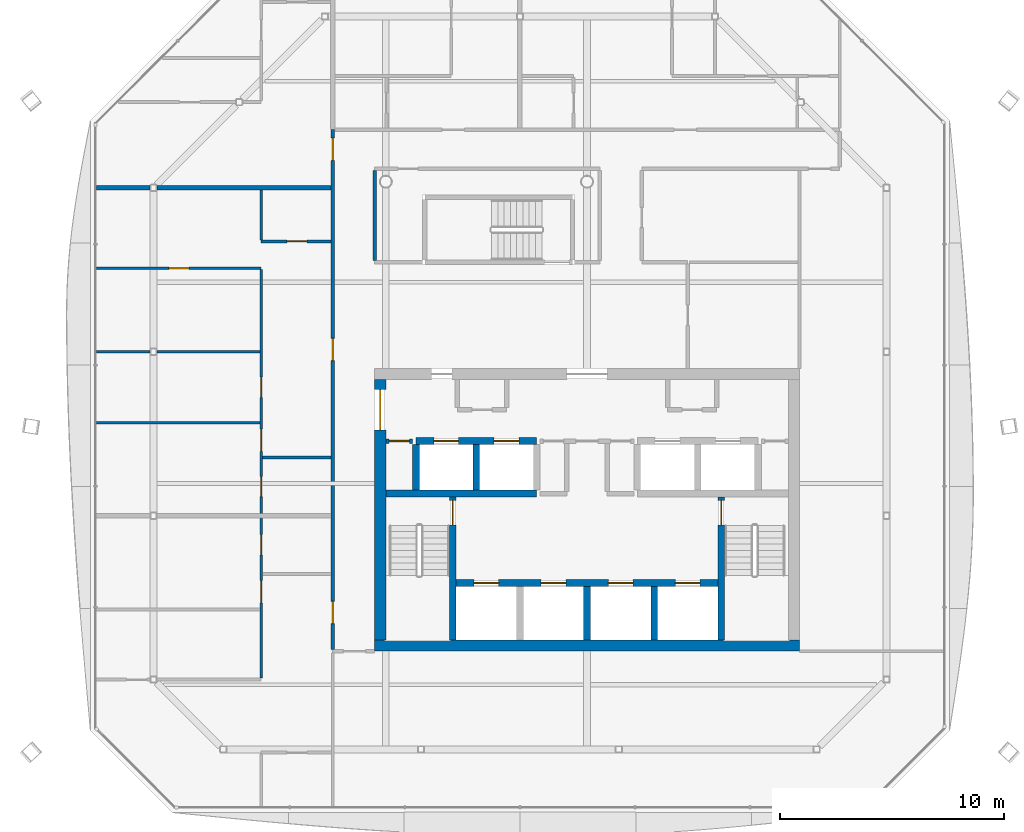
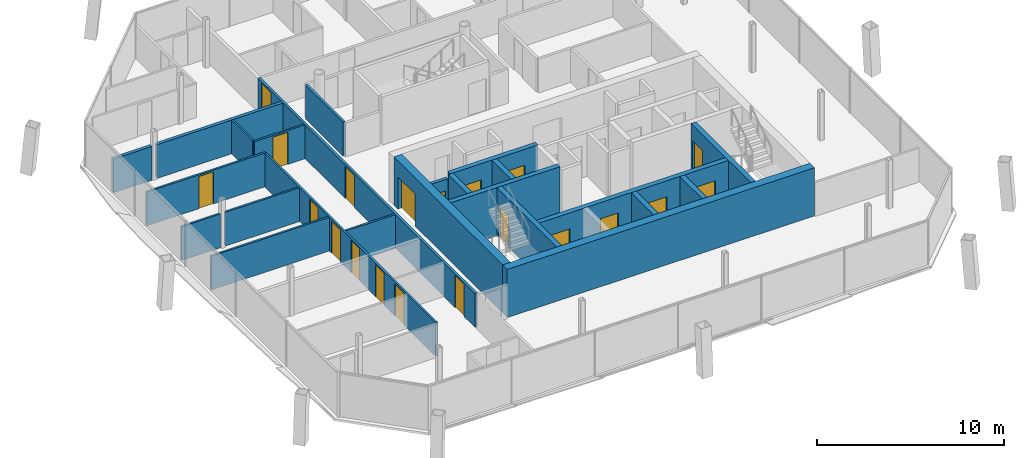
# One storey, part 12 of 18: 24 walls, 20 doors, 20 openings.
"""IFC4 building model written with IfcOpenShell, lengths in metres."""

import ifcopenshell
import ifcopenshell.guid

model = None  # the IFC model being written
_history = None  # IfcOwnerHistory: only IFC2X3 demands one
_inside = {}  # id of a spatial element -> (the spatial element, [elements in it])
_under = {}  # id of a project, library or spatial element -> (it, [spatial elements below it])
_declared = {}  # id of a project -> (the project, [libraries it declares])
_typed = {}  # id of a type object -> (the type object, [elements of that type])
_made_of = {}  # id of a material, layer set ... -> (it, [elements and type objects made of it])


def new_model(schema):
    """Start an empty IFC model of exactly this schema.

    Asked for "IFC4X3", IfcOpenShell would pick the latest addendum, in which some entities
    have other attributes; the version numbers below select the first issue.
    IFC2X3 requires an IfcOwnerHistory on every rooted entity: one is made here for all.
    """
    global model, _history
    if schema == "IFC4X3":
        model = ifcopenshell.file(schema_version=(4, 3, 0, 0))
    else:
        model = ifcopenshell.file(schema=schema)
    _inside.clear()
    _under.clear()
    _declared.clear()
    _typed.clear()
    _made_of.clear()
    _history = None
    if model.schema == "IFC2X3":
        org = make("IfcOrganization", Name="unknown")
        user = make(
            "IfcPersonAndOrganization",
            ThePerson=make("IfcPerson", FamilyName="unknown"),
            TheOrganization=org,
        )
        app = make(
            "IfcApplication",
            ApplicationDeveloper=org,
            Version="unknown",
            ApplicationFullName="unknown",
            ApplicationIdentifier="unknown",
        )
        _history = make(
            "IfcOwnerHistory",
            OwningUser=user,
            OwningApplication=app,
            ChangeAction="ADDED",
            CreationDate=0,
        )
    return model


def make(cls, **values):
    """One entity of the class cls with the attributes given. An attribute that is None is left unset."""
    return model.create_entity(
        cls, **{name: value for name, value in values.items() if value is not None}
    )


def rooted(cls, **values):
    """An entity with a GlobalId (a new one), such as an element, a storey or a relation."""
    return make(cls, GlobalId=ifcopenshell.guid.new(), OwnerHistory=_history, **values)


def si_unit(unit_type, name, prefix=None):
    """IfcSIUnit, for example si_unit("LENGTHUNIT", "METRE", prefix="MILLI")."""
    return make("IfcSIUnit", UnitType=unit_type, Prefix=prefix, Name=name)


def assignment(units):
    """IfcUnitAssignment: the units of a project."""
    return None if units is None else make("IfcUnitAssignment", Units=units)


def point(xyz):
    """IfcCartesianPoint."""
    return None if xyz is None else make("IfcCartesianPoint", Coordinates=xyz)


def direction(xyz):
    """IfcDirection."""
    return None if xyz is None else make("IfcDirection", DirectionRatios=xyz)


def frame(location, z_axis=None, x_axis=None):
    """IfcAxis2Placement3D, a coordinate frame: its origin and axes. An axis left out is left unset."""
    return make(
        "IfcAxis2Placement3D",
        Location=point(location),
        Axis=direction(z_axis),
        RefDirection=direction(x_axis),
    )


def frame_2d(location, x_axis=None):
    """IfcAxis2Placement2D, a coordinate frame in the plane: its origin and x axis."""
    return make(
        "IfcAxis2Placement2D", Location=point(location), RefDirection=direction(x_axis)
    )


def origin():
    """The frame at (0, 0, 0) with its axes left unset."""
    return frame((0.0, 0.0, 0.0))


def place(relative_to, where):
    """IfcLocalPlacement: puts the frame where relative to a parent placement (None: the world)."""
    return make(
        "IfcLocalPlacement", PlacementRelTo=relative_to, RelativePlacement=where
    )


def context(
    kind, dimensions, precision=None, world=None, true_north=None, identifier=None
):
    """IfcGeometricRepresentationContext, for example the 3D "Model" context."""
    return make(
        "IfcGeometricRepresentationContext",
        ContextIdentifier=identifier,
        ContextType=kind,
        CoordinateSpaceDimension=dimensions,
        Precision=precision,
        WorldCoordinateSystem=world,
        TrueNorth=true_north,
    )


def subcontext(parent, identifier, kind, view, scale=None):
    """IfcGeometricRepresentationSubContext, for example "Body" below "Model"."""
    return make(
        "IfcGeometricRepresentationSubContext",
        ContextIdentifier=identifier,
        ContextType=kind,
        ParentContext=parent,
        TargetScale=scale,
        TargetView=view,
    )


def project(units=None, contexts=None):
    """IfcProject with its units and contexts."""
    return rooted(
        "IfcProject",
        Name="project",
        RepresentationContexts=contexts,
        UnitsInContext=assignment(units),
    )


def spatial(cls, under=None, at=None, **own):
    """A site, building, storey or space (cls), placed at a placement, below another one or the project."""
    s = rooted(cls, ObjectPlacement=at, **own)
    if under is not None:
        _under.setdefault(under.id(), (under, []))[1].append(s)
    return s


def profile(cls, at=None, kind="AREA", **sizes):
    """A parametric profile (cls). Its sizes go by their IFC names, for example OverallWidth=200.0."""
    return make(cls, ProfileType=kind, Position=at, **sizes)


def rectangle(**sizes):
    """IfcRectangleProfileDef."""
    return profile("IfcRectangleProfileDef", **sizes)


def extrude(swept, where, along, depth):
    """IfcExtrudedAreaSolid: the profile swept, set in the frame where, extruded along a direction by depth."""
    return make(
        "IfcExtrudedAreaSolid",
        SweptArea=swept,
        Position=where,
        ExtrudedDirection=direction(along),
        Depth=depth,
    )


def shape(context_of_items, identifier, shape_type, items):
    """IfcShapeRepresentation: the items that make up one representation, for example the "Body"."""
    return make(
        "IfcShapeRepresentation",
        ContextOfItems=context_of_items,
        RepresentationIdentifier=identifier,
        RepresentationType=shape_type,
        Items=items,
    )


def material(Name=None, Category=None):
    """IfcMaterial."""
    return make("IfcMaterial", Name=Name, Category=Category)


def layer(
    of_material, thickness, ventilated=None, Name=None, Category=None, Priority=None
):
    """IfcMaterialLayer: one layer of a wall or slab, of a material (None: an air gap)."""
    return make(
        "IfcMaterialLayer",
        Material=of_material,
        LayerThickness=thickness,
        IsVentilated=ventilated,
        Name=Name,
        Category=Category,
        Priority=Priority,
    )


def layer_set(layers, Name=None):
    """IfcMaterialLayerSet."""
    return make("IfcMaterialLayerSet", MaterialLayers=layers, LayerSetName=Name)


def made_of(thing, what):
    """Note that an element or type object is made of a material, layer set ...; save() writes the relation."""
    if what is not None:
        _made_of.setdefault(what.id(), (what, []))[1].append(thing)
    return thing


def type_object(cls, material=None, **own):
    """A type object (cls), such as IfcWallType, which elements share."""
    return made_of(rooted(cls, **own), material)


def element(
    cls,
    number,
    at=None,
    inside=None,
    cuts=None,
    type_object=None,
    material=None,
    context=None,
    identifier="Body",
    shape_type=None,
    held_by="IfcProductDefinitionShape",
    body=None,
    shapes=None,
    **own,
):
    """One element of the class cls, such as IfcWall. Its Tag is "e" and its number.

    at: its placement. inside: the storey or other place that contains it. cuts: it is an
    opening in that element (IfcRelVoidsElement). A single representation is given by context,
    identifier, shape_type and body (its items); several are given by shapes. held_by: the class
    of the entity that holds the representations. save() writes the other relations.
    """
    e = rooted(cls, Tag="e%d" % number, ObjectPlacement=at, **own)
    if body is not None:
        shapes = [shape(context, identifier, shape_type, body)]
    if shapes is not None:
        e.Representation = make(held_by, Representations=shapes)
    if inside is not None:
        _inside.setdefault(inside.id(), (inside, []))[1].append(e)
    if cuts is not None:
        rooted(
            "IfcRelVoidsElement", RelatingBuildingElement=cuts, RelatedOpeningElement=e
        )
    if type_object is not None:
        _typed.setdefault(type_object.id(), (type_object, []))[1].append(e)
    return made_of(e, material)


def fill(opening, filler):
    """IfcRelFillsElement: the door or window that sits in an opening."""
    return rooted(
        "IfcRelFillsElement",
        RelatingOpeningElement=opening,
        RelatedBuildingElement=filler,
    )


def aggregate(whole, parts):
    """IfcRelAggregates: a whole, such as a stair, and the parts it consists of."""
    return rooted("IfcRelAggregates", RelatingObject=whole, RelatedObjects=parts)


def save(model, path):
    """Write the relations noted so far, then the file.

    IfcRelAggregates (storeys below a building ...), IfcRelContainedInSpatialStructure (elements
    in a storey), IfcRelDefinesByType, IfcRelAssociatesMaterial and IfcRelDeclares: one each for
    every whole, place, type object, material and project.
    """
    for whole, parts in _under.values():
        aggregate(whole, parts)
    for where, things in _inside.values():
        rooted(
            "IfcRelContainedInSpatialStructure",
            RelatedElements=things,
            RelatingStructure=where,
        )
    for kind, things in _typed.values():
        rooted("IfcRelDefinesByType", RelatedObjects=things, RelatingType=kind)
    for what, things in _made_of.values():
        rooted("IfcRelAssociatesMaterial", RelatedObjects=things, RelatingMaterial=what)
    for by, libraries in _declared.values():
        rooted("IfcRelDeclares", RelatingContext=by, RelatedDefinitions=libraries)
    model.write(path)


model = new_model("IFC4")

# Units and contexts
model_context = context("Model", 3, precision=1e-05, world=origin(), true_north=direction((0.0, 1.0)))
body_context = subcontext(model_context, "Body", "Model", "MODEL_VIEW")
ifc_project = project(units=[si_unit("LENGTHUNIT", "METRE"), si_unit("AREAUNIT", "SQUARE_METRE"), si_unit("VOLUMEUNIT", "CUBIC_METRE"), si_unit("PLANEANGLEUNIT", "RADIAN"), si_unit("MASSUNIT", "GRAM", prefix="KILO")], contexts=[model_context])

# Site, building, storey
site_placement = place(None, origin())
site = spatial("IfcSite", under=ifc_project, at=site_placement, CompositionType="ELEMENT")
building_placement = place(site_placement, origin())
building = spatial("IfcBuilding", under=site, at=building_placement, Name="Tskaro Facet Tower", CompositionType="ELEMENT")
storey_placement = place(building_placement, frame((0.0, 0.0, 220.35009765625)))
storey = spatial("IfcBuildingStorey", under=building, at=storey_placement, Name="L56", CompositionType="ELEMENT", Elevation=220.35009765625)

# Wall, openings, doors
ifc_material_1 = material(Name="Concrete C60/75", Category="concrete")
ifc_layer_1 = layer(ifc_material_1, 0.300048828125, Name="Concrete C60/75")
ifc_layer_set_1 = layer_set([ifc_layer_1], Name="Concrete C60/75")
wall_type_1 = type_object("IfcWallType", Name="CORE-SHAFT", PredefinedType="SHEAR", material=ifc_layer_set_1)
wall_1_placement = place(storey_placement, frame((-5.85009765625, -8.949951171875, 0.0), z_axis=(0.0, 0.0, 1.0), x_axis=(1.0, 0.0, 0.0)))
wall_1 = element("IfcWall", 1, at=wall_1_placement, inside=storey, type_object=wall_type_1, Name="Shaft wall W007", PredefinedType="SHEAR", context=body_context, shape_type="SweptSolid", body=[
    extrude(rectangle(XDim=11.7001953125, YDim=0.300048828125, at=frame_2d((5.85009765625, 0.0))), origin(), (0.0, 0.0, 1.0), 3.14990234375),
])
opening_1_placement = place(wall_1_placement, frame((0.800048828125, 0.0, 0.0)))
opening_1 = element("IfcOpeningElement", 2, at=opening_1_placement, cuts=wall_1, Name="Opening LD-FF1", PredefinedType="OPENING", context=body_context, shape_type="SweptSolid", body=[
    extrude(rectangle(XDim=1.10009765625, YDim=2.10009765625, at=frame_2d((0.550048828125, 1.050048828125))), frame((0.0, 0.159912109375, 0.0), z_axis=(0.0, -1.0, 0.0), x_axis=(1.0, 0.0, 0.0)), (0.0, 0.0, 1.0), 0.320068359375),
])
opening_2_placement = place(wall_1_placement, frame((3.800048828125, 0.0, 0.0)))
opening_2 = element("IfcOpeningElement", 3, at=opening_2_placement, cuts=wall_1, Name="Opening LD-FF2", PredefinedType="OPENING", context=body_context, shape_type="SweptSolid", body=[
    extrude(rectangle(XDim=1.10009765625, YDim=2.10009765625, at=frame_2d((0.550048828125, 1.050048828125))), frame((0.0, 0.159912109375, 0.0), z_axis=(0.0, -1.0, 0.0), x_axis=(1.0, 0.0, 0.0)), (0.0, 0.0, 1.0), 0.320068359375),
])
opening_3_placement = place(wall_1_placement, frame((6.800048828125, 0.0, 0.0)))
opening_3 = element("IfcOpeningElement", 4, at=opening_3_placement, cuts=wall_1, Name="Opening LD-SV1", PredefinedType="OPENING", context=body_context, shape_type="SweptSolid", body=[
    extrude(rectangle(XDim=1.10009765625, YDim=2.10009765625, at=frame_2d((0.550048828125, 1.050048828125))), frame((0.0, 0.159912109375, 0.0), z_axis=(0.0, -1.0, 0.0), x_axis=(1.0, 0.0, 0.0)), (0.0, 0.0, 1.0), 0.320068359375),
])
opening_4_placement = place(wall_1_placement, frame((9.800048828125, 0.0, 0.0)))
opening_4 = element("IfcOpeningElement", 5, at=opening_4_placement, cuts=wall_1, Name="Opening LD-SV2", PredefinedType="OPENING", context=body_context, shape_type="SweptSolid", body=[
    extrude(rectangle(XDim=1.10009765625, YDim=2.10009765625, at=frame_2d((0.550048828125, 1.050048828125))), frame((0.0, 0.159912109375, 0.0), z_axis=(0.0, -1.0, 0.0), x_axis=(1.0, 0.0, 0.0)), (0.0, 0.0, 1.0), 0.320068359375),
])
ifc_material_2 = material(Name="Stainless steel", Category="steel")
door_type_1 = type_object("IfcDoorType", Name="D-LANDING", OperationType="NOTDEFINED", PredefinedType="DOOR", material=ifc_material_2)
door_1_placement = place(opening_1_placement, origin())
door_1 = element("IfcDoor", 6, at=door_1_placement, inside=storey, type_object=door_type_1, Name="Landing door FF1", OperationType="DOUBLE_DOOR_SLIDING", OverallHeight=2.10009765625, OverallWidth=1.10009765625, PredefinedType="DOOR", context=body_context, shape_type="SweptSolid", body=[
    extrude(rectangle(XDim=1.10009765625, YDim=2.10009765625, at=frame_2d((0.550048828125, 1.050048828125))), frame((0.0, 0.02490234375, 0.0), z_axis=(0.0, -1.0, 0.0), x_axis=(1.0, 0.0, 0.0)), (0.0, 0.0, 1.0), 0.050048828125),
])
fill(opening_1, door_1)
door_2_placement = place(opening_2_placement, origin())
door_2 = element("IfcDoor", 7, at=door_2_placement, inside=storey, type_object=door_type_1, Name="Landing door FF2", OperationType="DOUBLE_DOOR_SLIDING", OverallHeight=2.10009765625, OverallWidth=1.10009765625, PredefinedType="DOOR", context=body_context, shape_type="SweptSolid", body=[
    extrude(rectangle(XDim=1.10009765625, YDim=2.10009765625, at=frame_2d((0.550048828125, 1.050048828125))), frame((0.0, 0.02490234375, 0.0), z_axis=(0.0, -1.0, 0.0), x_axis=(1.0, 0.0, 0.0)), (0.0, 0.0, 1.0), 0.050048828125),
])
fill(opening_2, door_2)
door_3_placement = place(opening_3_placement, origin())
door_3 = element("IfcDoor", 8, at=door_3_placement, inside=storey, type_object=door_type_1, Name="Landing door SV1", OperationType="DOUBLE_DOOR_SLIDING", OverallHeight=2.10009765625, OverallWidth=1.10009765625, PredefinedType="DOOR", context=body_context, shape_type="SweptSolid", body=[
    extrude(rectangle(XDim=1.10009765625, YDim=2.10009765625, at=frame_2d((0.550048828125, 1.050048828125))), frame((0.0, 0.02490234375, 0.0), z_axis=(0.0, -1.0, 0.0), x_axis=(1.0, 0.0, 0.0)), (0.0, 0.0, 1.0), 0.050048828125),
])
fill(opening_3, door_3)
door_4_placement = place(opening_4_placement, origin())
door_4 = element("IfcDoor", 9, at=door_4_placement, inside=storey, type_object=door_type_1, Name="Landing door SV2", OperationType="DOUBLE_DOOR_SLIDING", OverallHeight=2.10009765625, OverallWidth=1.10009765625, PredefinedType="DOOR", context=body_context, shape_type="SweptSolid", body=[
    extrude(rectangle(XDim=1.10009765625, YDim=2.10009765625, at=frame_2d((0.550048828125, 1.050048828125))), frame((0.0, 0.02490234375, 0.0), z_axis=(0.0, -1.0, 0.0), x_axis=(1.0, 0.0, 0.0)), (0.0, 0.0, 1.0), 0.050048828125),
])
fill(opening_4, door_4)

# Wall
wall_2_placement = place(storey_placement, frame((-9.0, -4.949951171875, 0.0), z_axis=(0.0, 0.0, 1.0), x_axis=(1.0, 0.0, 0.0)))
element("IfcWall", 10, at=wall_2_placement, inside=storey, type_object=wall_type_1, Name="Shaft wall W011", PredefinedType="SHEAR", context=body_context, shape_type="SweptSolid", body=[
    extrude(rectangle(XDim=6.75, YDim=0.300048828125, at=frame_2d((3.375, 0.0))), origin(), (0.0, 0.0, 1.0), 3.14990234375),
])

# Wall, openings, doors
wall_3_placement = place(storey_placement, frame((-7.64990234375, -2.60009765625, 0.0), z_axis=(0.0, 0.0, 1.0), x_axis=(1.0, 0.0, 0.0)))
wall_3 = element("IfcWall", 11, at=wall_3_placement, inside=storey, type_object=wall_type_1, Name="Shaft wall W017", PredefinedType="SHEAR", context=body_context, shape_type="SweptSolid", body=[
    extrude(rectangle(XDim=5.39990234375, YDim=0.300048828125, at=frame_2d((2.699951171875, 0.0))), origin(), (0.0, 0.0, 1.0), 3.14990234375),
])
opening_5_placement = place(wall_3_placement, frame((0.800048828125, 0.0, 0.0)))
opening_5 = element("IfcOpeningElement", 12, at=opening_5_placement, cuts=wall_3, Name="Opening LD-HB1", PredefinedType="OPENING", context=body_context, shape_type="SweptSolid", body=[
    extrude(rectangle(XDim=1.10009765625, YDim=2.10009765625, at=frame_2d((0.550048828125, 1.050048828125))), frame((0.0, 0.159912109375, 0.0), z_axis=(0.0, -1.0, 0.0), x_axis=(1.0, 0.0, 0.0)), (0.0, 0.0, 1.0), 0.320068359375),
])
opening_6_placement = place(wall_3_placement, frame((3.5, 0.0, 0.0)))
opening_6 = element("IfcOpeningElement", 13, at=opening_6_placement, cuts=wall_3, Name="Opening LD-HB2", PredefinedType="OPENING", context=body_context, shape_type="SweptSolid", body=[
    extrude(rectangle(XDim=1.10009765625, YDim=2.10009765625, at=frame_2d((0.550048828125, 1.050048828125))), frame((0.0, 0.159912109375, 0.0), z_axis=(0.0, -1.0, 0.0), x_axis=(1.0, 0.0, 0.0)), (0.0, 0.0, 1.0), 0.320068359375),
])
door_5_placement = place(opening_5_placement, origin())
door_5 = element("IfcDoor", 14, at=door_5_placement, inside=storey, type_object=door_type_1, Name="Landing door HB1", OperationType="DOUBLE_DOOR_SLIDING", OverallHeight=2.10009765625, OverallWidth=1.10009765625, PredefinedType="DOOR", context=body_context, shape_type="SweptSolid", body=[
    extrude(rectangle(XDim=1.10009765625, YDim=2.10009765625, at=frame_2d((0.550048828125, 1.050048828125))), frame((0.0, 0.02490234375, 0.0), z_axis=(0.0, -1.0, 0.0), x_axis=(1.0, 0.0, 0.0)), (0.0, 0.0, 1.0), 0.050048828125),
])
fill(opening_5, door_5)
door_6_placement = place(opening_6_placement, origin())
door_6 = element("IfcDoor", 15, at=door_6_placement, inside=storey, type_object=door_type_1, Name="Landing door HB2", OperationType="DOUBLE_DOOR_SLIDING", OverallHeight=2.10009765625, OverallWidth=1.10009765625, PredefinedType="DOOR", context=body_context, shape_type="SweptSolid", body=[
    extrude(rectangle(XDim=1.10009765625, YDim=2.10009765625, at=frame_2d((0.550048828125, 1.050048828125))), frame((0.0, 0.02490234375, 0.0), z_axis=(0.0, -1.0, 0.0), x_axis=(1.0, 0.0, 0.0)), (0.0, 0.0, 1.0), 0.050048828125),
])
fill(opening_6, door_6)

# Wall
wall_4_placement = place(storey_placement, frame((-7.64990234375, -4.800048828125, 0.0), z_axis=(0.0, 0.0, 1.0), x_axis=(0.0, 1.0, 0.0)))
element("IfcWall", 16, at=wall_4_placement, inside=storey, type_object=wall_type_1, Name="Shaft wall W055", PredefinedType="SHEAR", context=body_context, shape_type="SweptSolid", body=[
    extrude(rectangle(XDim=2.050048828125, YDim=0.300048828125, at=frame_2d((1.02490234375, 0.0))), origin(), (0.0, 0.0, 1.0), 3.14990234375),
])

# Wall, opening, door
wall_5_placement = place(storey_placement, frame((-6.0, -11.5, 0.0), z_axis=(0.0, 0.0, 1.0), x_axis=(0.0, 1.0, 0.0)))
wall_5 = element("IfcWall", 17, at=wall_5_placement, inside=storey, type_object=wall_type_1, Name="Shaft wall W058", PredefinedType="SHEAR", context=body_context, shape_type="SweptSolid", body=[
    extrude(rectangle(XDim=6.39990234375, YDim=0.300048828125, at=frame_2d((3.199951171875, 0.0))), origin(), (0.0, 0.0, 1.0), 3.14990234375),
])
opening_7_placement = place(wall_5_placement, frame((5.14990234375, 0.0, 0.0)))
opening_7 = element("IfcOpeningElement", 18, at=opening_7_placement, cuts=wall_5, Name="Opening ST-1-D1", PredefinedType="OPENING", context=body_context, shape_type="SweptSolid", body=[
    extrude(rectangle(XDim=1.10009765625, YDim=2.10009765625, at=frame_2d((0.550048828125, 1.050048828125))), frame((0.0, 0.159912109375, 0.0), z_axis=(0.0, -1.0, 0.0), x_axis=(1.0, 0.0, 0.0)), (0.0, 0.0, 1.0), 0.320068359375),
])
ifc_material_3 = material(Name="Steel", Category="steel")
door_type_2 = type_object("IfcDoorType", Name="D-STAIR", OperationType="NOTDEFINED", PredefinedType="DOOR", material=ifc_material_3)
door_7_placement = place(opening_7_placement, origin())
door_7 = element("IfcDoor", 19, at=door_7_placement, inside=storey, type_object=door_type_2, Name="Stair door 1", OperationType="SINGLE_SWING_LEFT", OverallHeight=2.10009765625, OverallWidth=1.10009765625, PredefinedType="DOOR", context=body_context, shape_type="SweptSolid", body=[
    extrude(rectangle(XDim=1.10009765625, YDim=2.10009765625, at=frame_2d((0.550048828125, 1.050048828125))), frame((0.0, 0.02490234375, 0.0), z_axis=(0.0, -1.0, 0.0), x_axis=(1.0, 0.0, 0.0)), (0.0, 0.0, 1.0), 0.050048828125),
])
fill(opening_7, door_7)

# Walls
wall_6_placement = place(storey_placement, frame((-4.949951171875, -4.800048828125, 0.0), z_axis=(0.0, 0.0, 1.0), x_axis=(0.0, 1.0, 0.0)))
element("IfcWall", 20, at=wall_6_placement, inside=storey, type_object=wall_type_1, Name="Shaft wall W060", PredefinedType="SHEAR", context=body_context, shape_type="SweptSolid", body=[
    extrude(rectangle(XDim=2.050048828125, YDim=0.300048828125, at=frame_2d((1.02490234375, 0.0))), origin(), (0.0, 0.0, 1.0), 3.14990234375),
])
for number, where, z_axis, x_axis, name in (
    (21, (0.0, -11.5, 0.0), (0.0, 0.0, 1.0), (0.0, 1.0, 0.0), "Shaft wall W069"),
    (22, (3.0, -11.5, 0.0), (0.0, 0.0, 1.0), (0.0, 1.0, 0.0), "Shaft wall W074"),
):
    element("IfcWall", number, at=place(storey_placement, frame(where, z_axis=z_axis, x_axis=x_axis)), inside=storey, type_object=wall_type_1, Name=name, PredefinedType="SHEAR", context=body_context, shape_type="SweptSolid", body=[
        extrude(rectangle(XDim=2.39990234375, YDim=0.300048828125, at=frame_2d((1.199951171875, 0.0))), origin(), (0.0, 0.0, 1.0), 3.14990234375),
    ])

# Wall, opening, door
wall_7_placement = place(storey_placement, frame((6.0, -5.10009765625, 0.0), z_axis=(0.0, 0.0, 1.0), x_axis=(0.0, -1.0, 0.0)))
wall_7 = element("IfcWall", 23, at=wall_7_placement, inside=storey, type_object=wall_type_1, Name="Shaft wall W082", PredefinedType="SHEAR", context=body_context, shape_type="SweptSolid", body=[
    extrude(rectangle(XDim=6.39990234375, YDim=0.300048828125, at=frame_2d((3.199951171875, 0.0))), origin(), (0.0, 0.0, 1.0), 3.14990234375),
])
opening_8_placement = place(wall_7_placement, frame((0.14990234375, 0.0, 0.0)))
opening_8 = element("IfcOpeningElement", 24, at=opening_8_placement, cuts=wall_7, Name="Opening ST-2-D1", PredefinedType="OPENING", context=body_context, shape_type="SweptSolid", body=[
    extrude(rectangle(XDim=1.10009765625, YDim=2.10009765625, at=frame_2d((0.550048828125, 1.050048828125))), frame((0.0, 0.159912109375, 0.0), z_axis=(0.0, -1.0, 0.0), x_axis=(1.0, 0.0, 0.0)), (0.0, 0.0, 1.0), 0.320068359375),
])
door_8_placement = place(opening_8_placement, origin())
door_8 = element("IfcDoor", 25, at=door_8_placement, inside=storey, type_object=door_type_2, Name="Stair door 2", OperationType="SINGLE_SWING_RIGHT", OverallHeight=2.10009765625, OverallWidth=1.10009765625, PredefinedType="DOOR", context=body_context, shape_type="SweptSolid", body=[
    extrude(rectangle(XDim=1.10009765625, YDim=2.10009765625, at=frame_2d((0.550048828125, 1.050048828125))), frame((0.0, 0.02490234375, 0.0), z_axis=(0.0, -1.0, 0.0), x_axis=(1.0, 0.0, 0.0)), (0.0, 0.0, 1.0), 0.050048828125),
])
fill(opening_8, door_8)

ifc_material_4 = material(Name="Concrete C20/25", Category="concrete")
ifc_layer_2 = layer(ifc_material_4, 0.199951171875, Name="Concrete C20/25")
ifc_layer_set_2 = layer_set([ifc_layer_2], Name="Concrete C20/25")
wall_type_2 = type_object("IfcWallType", Name="CORE-WALL", PredefinedType="SOLIDWALL", material=ifc_layer_set_2)
wall_8_placement = place(storey_placement, frame((-7.800048828125, -2.60009765625, 0.0), z_axis=(0.0, 0.0, 1.0), x_axis=(-1.0, 0.0, 0.0)))
wall_8 = element("IfcWall", 26, at=wall_8_placement, inside=storey, type_object=wall_type_2, Name="Core room wall W016", PredefinedType="SOLIDWALL", context=body_context, shape_type="SweptSolid", body=[
    extrude(rectangle(XDim=1.199951171875, YDim=0.199951171875, at=frame_2d((0.60009765625, 0.0))), origin(), (0.0, 0.0, 1.0), 2.849853515625),
])
opening_9_placement = place(wall_8_placement, frame((0.14990234375, 0.0, 0.0)))
opening_9 = element("IfcOpeningElement", 27, at=opening_9_placement, cuts=wall_8, Name="Opening T16-D08", PredefinedType="OPENING", context=body_context, shape_type="SweptSolid", body=[
    extrude(rectangle(XDim=0.89990234375, YDim=2.10009765625, at=frame_2d((0.449951171875, 1.050048828125))), frame((0.0, 0.10986328125, 0.0), z_axis=(0.0, -1.0, 0.0), x_axis=(1.0, 0.0, 0.0)), (0.0, 0.0, 1.0), 0.219970703125),
])
ifc_material_5 = material(Name="Timber", Category="wood")
door_type_3 = type_object("IfcDoorType", Name="D-ROOM", OperationType="NOTDEFINED", PredefinedType="DOOR", material=ifc_material_5)
door_9_placement = place(opening_9_placement, origin())
door_9 = element("IfcDoor", 28, at=door_9_placement, inside=storey, type_object=door_type_3, Name="Door T16-D08", OperationType="SINGLE_SWING_RIGHT", OverallHeight=2.10009765625, OverallWidth=0.89990234375, PredefinedType="DOOR", context=body_context, shape_type="SweptSolid", body=[
    extrude(rectangle(XDim=0.89990234375, YDim=2.10009765625, at=frame_2d((0.449951171875, 1.050048828125))), frame((0.0, 0.02490234375, 0.0), z_axis=(0.0, -1.0, 0.0), x_axis=(1.0, 0.0, 0.0)), (0.0, 0.0, 1.0), 0.050048828125),
])
fill(opening_9, door_9)

# Wall
ifc_material_6 = material(Name="Concrete C40/50", Category="concrete")
ifc_layer_3 = layer(ifc_material_6, 0.5, Name="Concrete C40/50")
ifc_layer_set_3 = layer_set([ifc_layer_3], Name="Concrete C40/50")
wall_type_3 = type_object("IfcWallType", Name="Core wall 500", PredefinedType="SHEAR", material=ifc_layer_set_3)
wall_9_placement = place(storey_placement, frame((-9.5, -11.75, 0.0), z_axis=(0.0, 0.0, 1.0), x_axis=(1.0, 0.0, 0.0)))
element("IfcWall", 29, at=wall_9_placement, inside=storey, type_object=wall_type_3, Name="Core wall CW-Z3S", PredefinedType="SHEAR", context=body_context, shape_type="SweptSolid", body=[
    extrude(rectangle(XDim=19.0, YDim=0.5, at=frame_2d((9.5, 0.0))), origin(), (0.0, 0.0, 1.0), 3.14990234375),
])

# Wall, opening, door
wall_10_placement = place(storey_placement, frame((-9.25, -11.5, 0.0), z_axis=(0.0, 0.0, 1.0), x_axis=(0.0, 1.0, 0.0)))
wall_10 = element("IfcWall", 30, at=wall_10_placement, inside=storey, type_object=wall_type_3, Name="Core wall CW-Z3W", PredefinedType="SHEAR", context=body_context, shape_type="SweptSolid", body=[
    extrude(rectangle(XDim=11.64990234375, YDim=0.5, at=frame_2d((5.824951171875, 0.0))), origin(), (0.0, 0.0, 1.0), 3.14990234375),
])
opening_10_placement = place(wall_10_placement, frame((9.39990234375, 0.0, 0.0)))
opening_10 = element("IfcOpeningElement", 31, at=opening_10_placement, cuts=wall_10, Name="Opening T16-D13", PredefinedType="OPENING", context=body_context, shape_type="SweptSolid", body=[
    extrude(rectangle(XDim=1.800048828125, YDim=2.10009765625, at=frame_2d((0.89990234375, 1.050048828125))), frame((0.0, 0.260009765625, 0.0), z_axis=(0.0, -1.0, 0.0), x_axis=(1.0, 0.0, 0.0)), (0.0, 0.0, 1.0), 0.52001953125),
])
door_type_4 = type_object("IfcDoorType", Name="D-CORE-PAIR", OperationType="NOTDEFINED", PredefinedType="DOOR", material=ifc_material_3)
door_10_placement = place(opening_10_placement, origin())
door_10 = element("IfcDoor", 32, at=door_10_placement, inside=storey, type_object=door_type_4, Name="Door T16-D13", OperationType="DOUBLE_DOOR_SINGLE_SWING", OverallHeight=2.10009765625, OverallWidth=1.800048828125, PredefinedType="DOOR", context=body_context, shape_type="SweptSolid", body=[
    extrude(rectangle(XDim=1.800048828125, YDim=2.10009765625, at=frame_2d((0.89990234375, 1.050048828125))), frame((0.0, 0.02490234375, 0.0), z_axis=(0.0, -1.0, 0.0), x_axis=(1.0, 0.0, 0.0)), (0.0, 0.0, 1.0), 0.050048828125),
])
fill(opening_10, door_10)

# Walls
ifc_material_7 = material(Name="Gypsum board on steel studs", Category="steel")
ifc_layer_4 = layer(ifc_material_7, 0.125, Name="Gypsum board on steel studs")
ifc_layer_set_4 = layer_set([ifc_layer_4], Name="Gypsum board on steel studs")
wall_type_4 = type_object("IfcWallType", Name="PART", PredefinedType="PARTITIONING", material=ifc_layer_set_4)
wall_11_placement = place(storey_placement, frame((-14.512451171875, -3.340087890625, 0.0), z_axis=(0.0, 0.0, 1.0), x_axis=(1.0, 0.0, 0.0)))
element("IfcWall", 33, at=wall_11_placement, inside=storey, type_object=wall_type_4, Name="Partition W015", PredefinedType="PARTITIONING", context=body_context, shape_type="SweptSolid", body=[
    extrude(rectangle(XDim=3.0625, YDim=0.125, at=frame_2d((1.53125, 0.0))), origin(), (0.0, 0.0, 1.0), 2.2099609375),
])
wall_12_placement = place(storey_placement, frame((-21.93505859375, -1.784912109375, 0.0), z_axis=(0.0, 0.0, 1.0), x_axis=(1.0, 0.0, 0.0)))
element("IfcWall", 34, at=wall_12_placement, inside=storey, type_object=wall_type_4, Name="Partition W021", PredefinedType="PARTITIONING", context=body_context, shape_type="SweptSolid", body=[
    extrude(rectangle(XDim=7.297607421875, YDim=0.125, at=frame_2d((3.64892578125, 0.0))), origin(), (0.0, 0.0, 1.0), 2.2099609375),
])
wall_13_placement = place(storey_placement, frame((-21.93505859375, 1.39501953125, 0.0), z_axis=(0.0, 0.0, 1.0), x_axis=(1.0, 0.0, 0.0)))
element("IfcWall", 35, at=wall_13_placement, inside=storey, type_object=wall_type_4, Name="Partition W024", PredefinedType="PARTITIONING", context=body_context, shape_type="SweptSolid", body=[
    extrude(rectangle(XDim=2.39404296875, YDim=0.125, at=frame_2d((1.197021484375, 0.0))), origin(), (0.0, 0.0, 1.0), 2.2099609375),
])
wall_14_placement = place(storey_placement, frame((-19.240966796875, 1.39501953125, 0.0), z_axis=(0.0, 0.0, 1.0), x_axis=(1.0, 0.0, 0.0)))
element("IfcWall", 36, at=wall_14_placement, inside=storey, type_object=wall_type_4, Name="Partition W025", PredefinedType="PARTITIONING", context=body_context, shape_type="SweptSolid", body=[
    extrude(rectangle(XDim=4.603515625, YDim=0.125, at=frame_2d((2.3017578125, 0.0))), origin(), (0.0, 0.0, 1.0), 2.2099609375),
])

# Wall, opening, door
wall_15_placement = place(storey_placement, frame((-14.574951171875, 5.1298828125, 0.0), z_axis=(0.0, 0.0, 1.0), x_axis=(-1.0, 0.0, 0.0)))
wall_15 = element("IfcWall", 37, at=wall_15_placement, inside=storey, type_object=wall_type_4, Name="Partition W026", PredefinedType="PARTITIONING", context=body_context, shape_type="SweptSolid", body=[
    extrude(rectangle(XDim=7.360107421875, YDim=0.125, at=frame_2d((3.68017578125, 0.0))), origin(), (0.0, 0.0, 1.0), 2.2099609375),
])
opening_11_placement = place(wall_15_placement, frame((3.22998046875, 0.0, 0.0)))
opening_11 = element("IfcOpeningElement", 38, at=opening_11_placement, cuts=wall_15, Name="Opening T16-D21", PredefinedType="OPENING", context=body_context, shape_type="SweptSolid", body=[
    extrude(rectangle(XDim=0.89990234375, YDim=2.10009765625, at=frame_2d((0.449951171875, 1.050048828125))), frame((0.0, 0.072509765625, 0.0), z_axis=(0.0, -1.0, 0.0), x_axis=(1.0, 0.0, 0.0)), (0.0, 0.0, 1.0), 0.14501953125),
])
door_11_placement = place(opening_11_placement, origin())
door_11 = element("IfcDoor", 39, at=door_11_placement, inside=storey, type_object=door_type_3, Name="Door T16-D21", OperationType="SINGLE_SWING_RIGHT", OverallHeight=2.10009765625, OverallWidth=0.89990234375, PredefinedType="DOOR", context=body_context, shape_type="SweptSolid", body=[
    extrude(rectangle(XDim=0.89990234375, YDim=2.10009765625, at=frame_2d((0.449951171875, 1.050048828125))), frame((0.0, 0.02490234375, 0.0), z_axis=(0.0, -1.0, 0.0), x_axis=(1.0, 0.0, 0.0)), (0.0, 0.0, 1.0), 0.050048828125),
])
fill(opening_11, door_11)

wall_16_placement = place(storey_placement, frame((-14.574951171875, 6.330078125, 0.0), z_axis=(0.0, 0.0, 1.0), x_axis=(1.0, 0.0, 0.0)))
wall_16 = element("IfcWall", 40, at=wall_16_placement, inside=storey, type_object=wall_type_4, Name="Partition W032", PredefinedType="PARTITIONING", context=body_context, shape_type="SweptSolid", body=[
    extrude(rectangle(XDim=3.125, YDim=0.125, at=frame_2d((1.5625, 0.0))), origin(), (0.0, 0.0, 1.0), 2.2099609375),
])
opening_12_placement = place(wall_16_placement, frame((1.14990234375, 0.0, 0.0)))
opening_12 = element("IfcOpeningElement", 41, at=opening_12_placement, cuts=wall_16, Name="Opening T16-D22", PredefinedType="OPENING", context=body_context, shape_type="SweptSolid", body=[
    extrude(rectangle(XDim=0.89990234375, YDim=2.10009765625, at=frame_2d((0.449951171875, 1.050048828125))), frame((0.0, 0.072509765625, 0.0), z_axis=(0.0, -1.0, 0.0), x_axis=(1.0, 0.0, 0.0)), (0.0, 0.0, 1.0), 0.14501953125),
])
door_12_placement = place(opening_12_placement, origin())
door_12 = element("IfcDoor", 42, at=door_12_placement, inside=storey, type_object=door_type_3, Name="Door T16-D22", OperationType="SINGLE_SWING_LEFT", OverallHeight=2.10009765625, OverallWidth=0.89990234375, PredefinedType="DOOR", context=body_context, shape_type="SweptSolid", body=[
    extrude(rectangle(XDim=0.89990234375, YDim=2.10009765625, at=frame_2d((0.449951171875, 1.050048828125))), frame((0.0, 0.02490234375, 0.0), z_axis=(0.0, -1.0, 0.0), x_axis=(1.0, 0.0, 0.0)), (0.0, 0.0, 1.0), 0.050048828125),
])
fill(opening_12, door_12)

# Wall, openings, doors
wall_17_placement = place(storey_placement, frame((-14.574951171875, -13.20751953125, 0.0), z_axis=(0.0, 0.0, 1.0), x_axis=(0.0, 1.0, 0.0)))
wall_17 = element("IfcWall", 43, at=wall_17_placement, inside=storey, type_object=wall_type_4, Name="Partition W047", PredefinedType="PARTITIONING", context=body_context, shape_type="SweptSolid", body=[
    extrude(rectangle(XDim=18.27490234375, YDim=0.125, at=frame_2d((9.137451171875, 0.0))), origin(), (0.0, 0.0, 1.0), 2.2099609375),
])
opening_13_placement = place(wall_17_placement, frame((3.367431640625, 0.0, 0.0)))
opening_13 = element("IfcOpeningElement", 44, at=opening_13_placement, cuts=wall_17, Name="Opening T16-D05", PredefinedType="OPENING", context=body_context, shape_type="SweptSolid", body=[
    extrude(rectangle(XDim=1.0, YDim=2.10009765625, at=frame_2d((0.5, 1.050048828125))), frame((0.0, 0.072509765625, 0.0), z_axis=(0.0, -1.0, 0.0), x_axis=(1.0, 0.0, 0.0)), (0.0, 0.0, 1.0), 0.14501953125),
])
opening_14_placement = place(wall_17_placement, frame((5.517578125, 0.0, 0.0)))
opening_14 = element("IfcOpeningElement", 45, at=opening_14_placement, cuts=wall_17, Name="Opening T16-D06", PredefinedType="OPENING", context=body_context, shape_type="SweptSolid", body=[
    extrude(rectangle(XDim=0.89990234375, YDim=2.10009765625, at=frame_2d((0.449951171875, 1.050048828125))), frame((0.0, 0.072509765625, 0.0), z_axis=(0.0, -1.0, 0.0), x_axis=(1.0, 0.0, 0.0)), (0.0, 0.0, 1.0), 0.14501953125),
])
opening_15_placement = place(wall_17_placement, frame((12.5625, 0.0, 0.0)))
opening_15 = element("IfcOpeningElement", 46, at=opening_15_placement, cuts=wall_17, Name="Opening T16-D16", PredefinedType="OPENING", context=body_context, shape_type="SweptSolid", body=[
    extrude(rectangle(XDim=0.89990234375, YDim=2.10009765625, at=frame_2d((0.449951171875, 1.050048828125))), frame((0.0, 0.072509765625, 0.0), z_axis=(0.0, -1.0, 0.0), x_axis=(1.0, 0.0, 0.0)), (0.0, 0.0, 1.0), 0.14501953125),
])
opening_16_placement = place(wall_17_placement, frame((10.14501953125, 0.0, 0.0)))
opening_16 = element("IfcOpeningElement", 47, at=opening_16_placement, cuts=wall_17, Name="Opening T16-D12", PredefinedType="OPENING", context=body_context, shape_type="SweptSolid", body=[
    extrude(rectangle(XDim=1.0, YDim=2.10009765625, at=frame_2d((0.5, 1.050048828125))), frame((0.0, 0.072509765625, 0.0), z_axis=(0.0, -1.0, 0.0), x_axis=(1.0, 0.0, 0.0)), (0.0, 0.0, 1.0), 0.14501953125),
])
opening_17_placement = place(wall_17_placement, frame((8.117431640625, 0.0, 0.0)))
opening_17 = element("IfcOpeningElement", 48, at=opening_17_placement, cuts=wall_17, Name="Opening T16-D07", PredefinedType="OPENING", context=body_context, shape_type="SweptSolid", body=[
    extrude(rectangle(XDim=0.89990234375, YDim=2.10009765625, at=frame_2d((0.449951171875, 1.050048828125))), frame((0.0, 0.072509765625, 0.0), z_axis=(0.0, -1.0, 0.0), x_axis=(1.0, 0.0, 0.0)), (0.0, 0.0, 1.0), 0.14501953125),
])
door_13_placement = place(opening_14_placement, origin())
door_13 = element("IfcDoor", 49, at=door_13_placement, inside=storey, type_object=door_type_3, Name="Door T16-D06", OperationType="SINGLE_SWING_LEFT", OverallHeight=2.10009765625, OverallWidth=0.89990234375, PredefinedType="DOOR", context=body_context, shape_type="SweptSolid", body=[
    extrude(rectangle(XDim=0.89990234375, YDim=2.10009765625, at=frame_2d((0.449951171875, 1.050048828125))), frame((0.0, 0.02490234375, 0.0), z_axis=(0.0, -1.0, 0.0), x_axis=(1.0, 0.0, 0.0)), (0.0, 0.0, 1.0), 0.050048828125),
])
fill(opening_14, door_13)
door_14_placement = place(opening_15_placement, origin())
door_14 = element("IfcDoor", 50, at=door_14_placement, inside=storey, type_object=door_type_3, Name="Door T16-D16", OperationType="SINGLE_SWING_LEFT", OverallHeight=2.10009765625, OverallWidth=0.89990234375, PredefinedType="DOOR", context=body_context, shape_type="SweptSolid", body=[
    extrude(rectangle(XDim=0.89990234375, YDim=2.10009765625, at=frame_2d((0.449951171875, 1.050048828125))), frame((0.0, 0.02490234375, 0.0), z_axis=(0.0, -1.0, 0.0), x_axis=(1.0, 0.0, 0.0)), (0.0, 0.0, 1.0), 0.050048828125),
])
fill(opening_15, door_14)
door_15_placement = place(opening_17_placement, origin())
door_15 = element("IfcDoor", 51, at=door_15_placement, inside=storey, type_object=door_type_3, Name="Door T16-D07", OperationType="SINGLE_SWING_LEFT", OverallHeight=2.10009765625, OverallWidth=0.89990234375, PredefinedType="DOOR", context=body_context, shape_type="SweptSolid", body=[
    extrude(rectangle(XDim=0.89990234375, YDim=2.10009765625, at=frame_2d((0.449951171875, 1.050048828125))), frame((0.0, 0.02490234375, 0.0), z_axis=(0.0, -1.0, 0.0), x_axis=(1.0, 0.0, 0.0)), (0.0, 0.0, 1.0), 0.050048828125),
])
fill(opening_17, door_15)
door_type_5 = type_object("IfcDoorType", Name="D-ROOM-WIDE", OperationType="NOTDEFINED", PredefinedType="DOOR", material=ifc_material_5)
door_16_placement = place(opening_13_placement, origin())
door_16 = element("IfcDoor", 52, at=door_16_placement, inside=storey, type_object=door_type_5, Name="Door T16-D05", OperationType="SINGLE_SWING_LEFT", OverallHeight=2.10009765625, OverallWidth=1.0, PredefinedType="DOOR", context=body_context, shape_type="SweptSolid", body=[
    extrude(rectangle(XDim=1.0, YDim=2.10009765625, at=frame_2d((0.5, 1.050048828125))), frame((0.0, 0.02490234375, 0.0), z_axis=(0.0, -1.0, 0.0), x_axis=(1.0, 0.0, 0.0)), (0.0, 0.0, 1.0), 0.050048828125),
])
fill(opening_13, door_16)
door_17_placement = place(opening_16_placement, origin())
door_17 = element("IfcDoor", 53, at=door_17_placement, inside=storey, type_object=door_type_5, Name="Door T16-D12", OperationType="SINGLE_SWING_LEFT", OverallHeight=2.10009765625, OverallWidth=1.0, PredefinedType="DOOR", context=body_context, shape_type="SweptSolid", body=[
    extrude(rectangle(XDim=1.0, YDim=2.10009765625, at=frame_2d((0.5, 1.050048828125))), frame((0.0, 0.02490234375, 0.0), z_axis=(0.0, -1.0, 0.0), x_axis=(1.0, 0.0, 0.0)), (0.0, 0.0, 1.0), 0.050048828125),
])
fill(opening_16, door_17)

# Wall
wall_18_placement = place(storey_placement, frame((-14.574951171875, 6.392578125, 0.0), z_axis=(0.0, 0.0, 1.0), x_axis=(0.0, 1.0, 0.0)))
element("IfcWall", 54, at=wall_18_placement, inside=storey, type_object=wall_type_4, Name="Partition W048", PredefinedType="PARTITIONING", context=body_context, shape_type="SweptSolid", body=[
    extrude(rectangle(XDim=2.2373046875, YDim=0.125, at=frame_2d((1.11865234375, 0.0))), origin(), (0.0, 0.0, 1.0), 2.2099609375),
])

# Wall, openings, doors
ifc_layer_5 = layer(ifc_material_7, 0.14990234375, Name="Gypsum board on steel studs")
ifc_layer_set_5 = layer_set([ifc_layer_5], Name="Gypsum board on steel studs")
wall_type_5 = type_object("IfcWallType", Name="PART-CORR", PredefinedType="PARTITIONING", material=ifc_layer_set_5)
wall_19_placement = place(storey_placement, frame((-11.375, -11.925048828125, 0.0), z_axis=(0.0, 0.0, 1.0), x_axis=(0.0, 1.0, 0.0)))
wall_19 = element("IfcWall", 55, at=wall_19_placement, inside=storey, type_object=wall_type_5, Name="Corridor wall W051", PredefinedType="PARTITIONING", context=body_context, shape_type="SweptSolid", body=[
    extrude(rectangle(XDim=23.25, YDim=0.14990234375, at=frame_2d((11.625, 0.0))), origin(), (0.0, 0.0, 1.0), 2.2099609375),
])
opening_18_placement = place(wall_19_placement, frame((1.155029296875, 0.0, 0.0)))
opening_18 = element("IfcOpeningElement", 56, at=opening_18_placement, cuts=wall_19, Name="Opening T16-D04", PredefinedType="OPENING", context=body_context, shape_type="SweptSolid", body=[
    extrude(rectangle(XDim=1.0, YDim=2.10009765625, at=frame_2d((0.5, 1.050048828125))), frame((0.0, 0.0849609375, 0.0), z_axis=(0.0, -1.0, 0.0), x_axis=(1.0, 0.0, 0.0)), (0.0, 0.0, 1.0), 0.169921875),
])
opening_19_placement = place(wall_19_placement, frame((12.919921875, 0.0, 0.0)))
opening_19 = element("IfcOpeningElement", 57, at=opening_19_placement, cuts=wall_19, Name="Opening T16-D19", PredefinedType="OPENING", context=body_context, shape_type="SweptSolid", body=[
    extrude(rectangle(XDim=1.0, YDim=2.10009765625, at=frame_2d((0.5, 1.050048828125))), frame((0.0, 0.0849609375, 0.0), z_axis=(0.0, -1.0, 0.0), x_axis=(1.0, 0.0, 0.0)), (0.0, 0.0, 1.0), 0.169921875),
])
opening_20_placement = place(wall_19_placement, frame((21.875, 0.0, 0.0)))
opening_20 = element("IfcOpeningElement", 58, at=opening_20_placement, cuts=wall_19, Name="Opening T16-D26", PredefinedType="OPENING", context=body_context, shape_type="SweptSolid", body=[
    extrude(rectangle(XDim=1.0, YDim=2.10009765625, at=frame_2d((0.5, 1.050048828125))), frame((0.0, 0.0849609375, 0.0), z_axis=(0.0, -1.0, 0.0), x_axis=(1.0, 0.0, 0.0)), (0.0, 0.0, 1.0), 0.169921875),
])
door_type_6 = type_object("IfcDoorType", Name="D-FLAT-ENTRY", OperationType="NOTDEFINED", PredefinedType="DOOR", material=ifc_material_5)
door_18_placement = place(opening_18_placement, origin())
door_18 = element("IfcDoor", 59, at=door_18_placement, inside=storey, type_object=door_type_6, Name="Door T16-D04", OperationType="SINGLE_SWING_LEFT", OverallHeight=2.10009765625, OverallWidth=1.0, PredefinedType="DOOR", context=body_context, shape_type="SweptSolid", body=[
    extrude(rectangle(XDim=1.0, YDim=2.10009765625, at=frame_2d((0.5, 1.050048828125))), frame((0.0, 0.02490234375, 0.0), z_axis=(0.0, -1.0, 0.0), x_axis=(1.0, 0.0, 0.0)), (0.0, 0.0, 1.0), 0.050048828125),
])
fill(opening_18, door_18)
door_19_placement = place(opening_19_placement, origin())
door_19 = element("IfcDoor", 60, at=door_19_placement, inside=storey, type_object=door_type_6, Name="Door T16-D19", OperationType="SINGLE_SWING_LEFT", OverallHeight=2.10009765625, OverallWidth=1.0, PredefinedType="DOOR", context=body_context, shape_type="SweptSolid", body=[
    extrude(rectangle(XDim=1.0, YDim=2.10009765625, at=frame_2d((0.5, 1.050048828125))), frame((0.0, 0.02490234375, 0.0), z_axis=(0.0, -1.0, 0.0), x_axis=(1.0, 0.0, 0.0)), (0.0, 0.0, 1.0), 0.050048828125),
])
fill(opening_19, door_19)
door_20_placement = place(opening_20_placement, origin())
door_20 = element("IfcDoor", 61, at=door_20_placement, inside=storey, type_object=door_type_6, Name="Door T16-D26", OperationType="SINGLE_SWING_LEFT", OverallHeight=2.10009765625, OverallWidth=1.0, PredefinedType="DOOR", context=body_context, shape_type="SweptSolid", body=[
    extrude(rectangle(XDim=1.0, YDim=2.10009765625, at=frame_2d((0.5, 1.050048828125))), frame((0.0, 0.02490234375, 0.0), z_axis=(0.0, -1.0, 0.0), x_axis=(1.0, 0.0, 0.0)), (0.0, 0.0, 1.0), 0.050048828125),
])
fill(opening_20, door_20)

# Walls
wall_20_placement = place(storey_placement, frame((-9.5, 5.47509765625, 0.0), z_axis=(0.0, 0.0, 1.0), x_axis=(0.0, 1.0, 0.0)))
element("IfcWall", 62, at=wall_20_placement, inside=storey, type_object=wall_type_5, Name="Corridor wall W053", PredefinedType="PARTITIONING", context=body_context, shape_type="SweptSolid", body=[
    extrude(rectangle(XDim=4.02490234375, YDim=0.14990234375, at=frame_2d((2.012451171875, 0.0))), origin(), (0.0, 0.0, 1.0), 2.2099609375),
])
ifc_layer_6 = layer(ifc_material_7, 0.199951171875, Name="Gypsum board on steel studs")
ifc_layer_set_6 = layer_set([ifc_layer_6], Name="Gypsum board on steel studs")
wall_type_6 = type_object("IfcWallType", Name="PART-DEMISING", PredefinedType="PARTITIONING", material=ifc_layer_set_6)
wall_21_placement = place(storey_placement, frame((-21.93505859375, 8.72998046875, 0.0), z_axis=(0.0, 0.0, 1.0), x_axis=(1.0, 0.0, 0.0)))
element("IfcWall", 63, at=wall_21_placement, inside=storey, type_object=wall_type_6, Name="Guest room wall W034", PredefinedType="PARTITIONING", context=body_context, shape_type="SweptSolid", body=[
    extrude(rectangle(XDim=2.39404296875, YDim=0.199951171875, at=frame_2d((1.197021484375, 0.0))), origin(), (0.0, 0.0, 1.0), 2.2099609375),
])
wall_22_placement = place(storey_placement, frame((-19.240966796875, 8.72998046875, 0.0), z_axis=(0.0, 0.0, 1.0), x_axis=(1.0, 0.0, 0.0)))
element("IfcWall", 64, at=wall_22_placement, inside=storey, type_object=wall_type_6, Name="Guest room wall W035", PredefinedType="PARTITIONING", context=body_context, shape_type="SweptSolid", body=[
    extrude(rectangle(XDim=7.791015625, YDim=0.199951171875, at=frame_2d((3.8955078125, 0.0))), origin(), (0.0, 0.0, 1.0), 2.2099609375),
])

save(model, "model.ifc")
